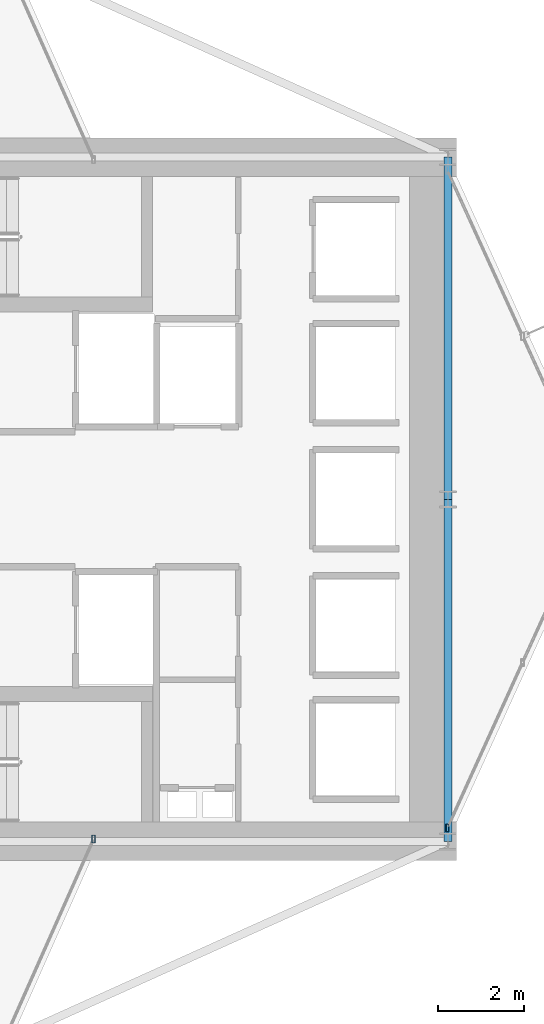
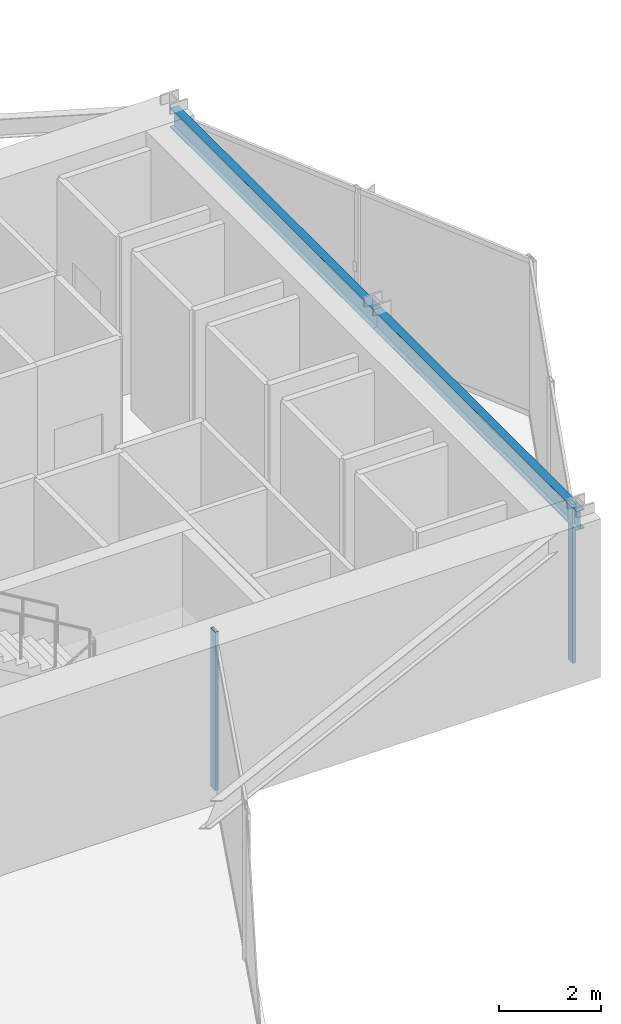
# One storey, part 12 of 24: 2 beams, 2 members, 2 elements without a shape of their own.
"""IFC4 building model written with IfcOpenShell, lengths in metres."""

import ifcopenshell
import ifcopenshell.guid

model = None  # the IFC model being written
_history = None  # IfcOwnerHistory: only IFC2X3 demands one
_inside = {}  # id of a spatial element -> (the spatial element, [elements in it])
_under = {}  # id of a project, library or spatial element -> (it, [spatial elements below it])
_declared = {}  # id of a project -> (the project, [libraries it declares])
_typed = {}  # id of a type object -> (the type object, [elements of that type])
_made_of = {}  # id of a material, layer set ... -> (it, [elements and type objects made of it])


def new_model(schema):
    """Start an empty IFC model of exactly this schema.

    Asked for "IFC4X3", IfcOpenShell would pick the latest addendum, in which some entities
    have other attributes; the version numbers below select the first issue.
    IFC2X3 requires an IfcOwnerHistory on every rooted entity: one is made here for all.
    """
    global model, _history
    if schema == "IFC4X3":
        model = ifcopenshell.file(schema_version=(4, 3, 0, 0))
    else:
        model = ifcopenshell.file(schema=schema)
    _inside.clear()
    _under.clear()
    _declared.clear()
    _typed.clear()
    _made_of.clear()
    _history = None
    if model.schema == "IFC2X3":
        org = make("IfcOrganization", Name="unknown")
        user = make(
            "IfcPersonAndOrganization",
            ThePerson=make("IfcPerson", FamilyName="unknown"),
            TheOrganization=org,
        )
        app = make(
            "IfcApplication",
            ApplicationDeveloper=org,
            Version="unknown",
            ApplicationFullName="unknown",
            ApplicationIdentifier="unknown",
        )
        _history = make(
            "IfcOwnerHistory",
            OwningUser=user,
            OwningApplication=app,
            ChangeAction="ADDED",
            CreationDate=0,
        )
    return model


def make(cls, **values):
    """One entity of the class cls with the attributes given. An attribute that is None is left unset."""
    return model.create_entity(
        cls, **{name: value for name, value in values.items() if value is not None}
    )


def rooted(cls, **values):
    """An entity with a GlobalId (a new one), such as an element, a storey or a relation."""
    return make(cls, GlobalId=ifcopenshell.guid.new(), OwnerHistory=_history, **values)


def si_unit(unit_type, name, prefix=None):
    """IfcSIUnit, for example si_unit("LENGTHUNIT", "METRE", prefix="MILLI")."""
    return make("IfcSIUnit", UnitType=unit_type, Prefix=prefix, Name=name)


def assignment(units):
    """IfcUnitAssignment: the units of a project."""
    return None if units is None else make("IfcUnitAssignment", Units=units)


def point(xyz):
    """IfcCartesianPoint."""
    return None if xyz is None else make("IfcCartesianPoint", Coordinates=xyz)


def direction(xyz):
    """IfcDirection."""
    return None if xyz is None else make("IfcDirection", DirectionRatios=xyz)


def frame(location, z_axis=None, x_axis=None):
    """IfcAxis2Placement3D, a coordinate frame: its origin and axes. An axis left out is left unset."""
    return make(
        "IfcAxis2Placement3D",
        Location=point(location),
        Axis=direction(z_axis),
        RefDirection=direction(x_axis),
    )


def frame_2d(location, x_axis=None):
    """IfcAxis2Placement2D, a coordinate frame in the plane: its origin and x axis."""
    return make(
        "IfcAxis2Placement2D", Location=point(location), RefDirection=direction(x_axis)
    )


def origin():
    """The frame at (0, 0, 0) with its axes left unset."""
    return frame((0.0, 0.0, 0.0))


def origin_2d():
    """The frame at (0, 0) in the plane with its x axis left unset."""
    return frame_2d((0.0, 0.0))


def place(relative_to, where):
    """IfcLocalPlacement: puts the frame where relative to a parent placement (None: the world)."""
    return make(
        "IfcLocalPlacement", PlacementRelTo=relative_to, RelativePlacement=where
    )


def context(
    kind, dimensions, precision=None, world=None, true_north=None, identifier=None
):
    """IfcGeometricRepresentationContext, for example the 3D "Model" context."""
    return make(
        "IfcGeometricRepresentationContext",
        ContextIdentifier=identifier,
        ContextType=kind,
        CoordinateSpaceDimension=dimensions,
        Precision=precision,
        WorldCoordinateSystem=world,
        TrueNorth=true_north,
    )


def subcontext(parent, identifier, kind, view, scale=None):
    """IfcGeometricRepresentationSubContext, for example "Body" below "Model"."""
    return make(
        "IfcGeometricRepresentationSubContext",
        ContextIdentifier=identifier,
        ContextType=kind,
        ParentContext=parent,
        TargetScale=scale,
        TargetView=view,
    )


def project(units=None, contexts=None):
    """IfcProject with its units and contexts."""
    return rooted(
        "IfcProject",
        Name="project",
        RepresentationContexts=contexts,
        UnitsInContext=assignment(units),
    )


def spatial(cls, under=None, at=None, **own):
    """A site, building, storey or space (cls), placed at a placement, below another one or the project."""
    s = rooted(cls, ObjectPlacement=at, **own)
    if under is not None:
        _under.setdefault(under.id(), (under, []))[1].append(s)
    return s


def profile(cls, at=None, kind="AREA", **sizes):
    """A parametric profile (cls). Its sizes go by their IFC names, for example OverallWidth=200.0."""
    return make(cls, ProfileType=kind, Position=at, **sizes)


def hollow_rectangle(**sizes):
    """IfcRectangleHollowProfileDef."""
    return profile("IfcRectangleHollowProfileDef", **sizes)


def i_section(**sizes):
    """IfcIShapeProfileDef."""
    return profile("IfcIShapeProfileDef", **sizes)


def extrude(swept, where, along, depth):
    """IfcExtrudedAreaSolid: the profile swept, set in the frame where, extruded along a direction by depth."""
    return make(
        "IfcExtrudedAreaSolid",
        SweptArea=swept,
        Position=where,
        ExtrudedDirection=direction(along),
        Depth=depth,
    )


def shape(context_of_items, identifier, shape_type, items):
    """IfcShapeRepresentation: the items that make up one representation, for example the "Body"."""
    return make(
        "IfcShapeRepresentation",
        ContextOfItems=context_of_items,
        RepresentationIdentifier=identifier,
        RepresentationType=shape_type,
        Items=items,
    )


def material(Name=None, Category=None):
    """IfcMaterial."""
    return make("IfcMaterial", Name=Name, Category=Category)


def layer(
    of_material, thickness, ventilated=None, Name=None, Category=None, Priority=None
):
    """IfcMaterialLayer: one layer of a wall or slab, of a material (None: an air gap)."""
    return make(
        "IfcMaterialLayer",
        Material=of_material,
        LayerThickness=thickness,
        IsVentilated=ventilated,
        Name=Name,
        Category=Category,
        Priority=Priority,
    )


def layer_set(layers, Name=None):
    """IfcMaterialLayerSet."""
    return make("IfcMaterialLayerSet", MaterialLayers=layers, LayerSetName=Name)


def material_profile(
    of_material, cross_section, Name=None, Category=None, Priority=None
):
    """IfcMaterialProfile: a cross section and its material."""
    return make(
        "IfcMaterialProfile",
        Name=Name,
        Material=of_material,
        Profile=cross_section,
        Priority=Priority,
        Category=Category,
    )


def profile_set(profiles, Name=None, composite=None):
    """IfcMaterialProfileSet."""
    return make(
        "IfcMaterialProfileSet",
        Name=Name,
        MaterialProfiles=profiles,
        CompositeProfile=composite,
    )


def made_of(thing, what):
    """Note that an element or type object is made of a material, layer set ...; save() writes the relation."""
    if what is not None:
        _made_of.setdefault(what.id(), (what, []))[1].append(thing)
    return thing


def type_object(cls, material=None, **own):
    """A type object (cls), such as IfcWallType, which elements share."""
    return made_of(rooted(cls, **own), material)


def element(
    cls,
    number,
    at=None,
    inside=None,
    cuts=None,
    type_object=None,
    material=None,
    context=None,
    identifier="Body",
    shape_type=None,
    held_by="IfcProductDefinitionShape",
    body=None,
    shapes=None,
    **own,
):
    """One element of the class cls, such as IfcWall. Its Tag is "e" and its number.

    at: its placement. inside: the storey or other place that contains it. cuts: it is an
    opening in that element (IfcRelVoidsElement). A single representation is given by context,
    identifier, shape_type and body (its items); several are given by shapes. held_by: the class
    of the entity that holds the representations. save() writes the other relations.
    """
    e = rooted(cls, Tag="e%d" % number, ObjectPlacement=at, **own)
    if body is not None:
        shapes = [shape(context, identifier, shape_type, body)]
    if shapes is not None:
        e.Representation = make(held_by, Representations=shapes)
    if inside is not None:
        _inside.setdefault(inside.id(), (inside, []))[1].append(e)
    if cuts is not None:
        rooted(
            "IfcRelVoidsElement", RelatingBuildingElement=cuts, RelatedOpeningElement=e
        )
    if type_object is not None:
        _typed.setdefault(type_object.id(), (type_object, []))[1].append(e)
    return made_of(e, material)


def aggregate(whole, parts):
    """IfcRelAggregates: a whole, such as a stair, and the parts it consists of."""
    return rooted("IfcRelAggregates", RelatingObject=whole, RelatedObjects=parts)


def save(model, path):
    """Write the relations noted so far, then the file.

    IfcRelAggregates (storeys below a building ...), IfcRelContainedInSpatialStructure (elements
    in a storey), IfcRelDefinesByType, IfcRelAssociatesMaterial and IfcRelDeclares: one each for
    every whole, place, type object, material and project.
    """
    for whole, parts in _under.values():
        aggregate(whole, parts)
    for where, things in _inside.values():
        rooted(
            "IfcRelContainedInSpatialStructure",
            RelatedElements=things,
            RelatingStructure=where,
        )
    for kind, things in _typed.values():
        rooted("IfcRelDefinesByType", RelatedObjects=things, RelatingType=kind)
    for what, things in _made_of.values():
        rooted("IfcRelAssociatesMaterial", RelatedObjects=things, RelatingMaterial=what)
    for by, libraries in _declared.values():
        rooted("IfcRelDeclares", RelatingContext=by, RelatedDefinitions=libraries)
    model.write(path)


model = new_model("IFC4")

# Units and contexts
model_context = context("Model", 3, precision=1e-05, world=origin(), true_north=direction((0.0, 1.0)))
body_context = subcontext(model_context, "Body", "Model", "MODEL_VIEW")
ifc_project = project(units=[si_unit("LENGTHUNIT", "METRE"), si_unit("AREAUNIT", "SQUARE_METRE"), si_unit("VOLUMEUNIT", "CUBIC_METRE"), si_unit("PLANEANGLEUNIT", "RADIAN"), si_unit("MASSUNIT", "GRAM", prefix="KILO")], contexts=[model_context])

# Site, building, storey
site_placement = place(None, origin())
site = spatial("IfcSite", under=ifc_project, at=site_placement, CompositionType="ELEMENT")
building_placement = place(site_placement, origin())
building = spatial("IfcBuilding", under=site, at=building_placement, Name="Veymaron Broadcast Tower", CompositionType="ELEMENT")
storey_placement = place(building_placement, frame((0.0, 0.0, 98.550048828125)))
storey = spatial("IfcBuildingStorey", under=building, at=storey_placement, Name="L22", CompositionType="ELEMENT", Elevation=98.550048828125)

# Beams
ifc_material_1 = material(Name="Structural steel ASTM A992 Gr 50", Category="steel")
ifc_material_profile_1 = material_profile(ifc_material_1, i_section(OverallWidth=0.19091796875, OverallDepth=0.4599609375, WebThickness=0.010009765625, FlangeThickness=0.01611328125, at=origin_2d()), Name="W460X82")
ifc_profile_set_1 = profile_set([ifc_material_profile_1], Name="Structural steel ASTM A992 Gr 50")
beam_type = type_object("IfcBeamType", Name="BM-SP1", PredefinedType="SPANDREL", material=ifc_profile_set_1)
for number, where, z_axis, x_axis, name in (
    (1, (54.60009765625, 16.0, 3.579833984375), (0.0, 1.0, 0.0), (-1.0, 0.0, 0.0), "L22 primary structural floor girder"),
    (2, (54.60009765625, 24.0, 3.579833984375), (0.0, 1.0, 0.0), (-1.0, 0.0, 0.0), "L22 primary structural floor girder"),
):
    element("IfcBeam", number, at=place(storey_placement, frame(where, z_axis=z_axis, x_axis=x_axis)), inside=storey, type_object=beam_type, Name=name, PredefinedType="SPANDREL", context=body_context, shape_type="SweptSolid", body=[
        extrude(i_section(OverallWidth=0.19091796875, OverallDepth=0.4599609375, WebThickness=0.010009765625, FlangeThickness=0.01611328125, at=origin_2d()), origin(), (0.0, 0.0, 1.0), 8.0),
    ])

# Curtain wall, member
ifc_material_2 = material(Name="Anodised aluminium AA 6063-T6 and laminated low-E dark glass", Category="aluminium")
ifc_layer = layer(ifc_material_2, 0.179931640625)
ifc_layer_set = layer_set([ifc_layer], Name="Anodised aluminium AA 6063-T6 and laminated low-E dark glass")
curtain_wall_type = type_object("IfcCurtainWallType", Name="CW-SYS-02", PredefinedType="NOTDEFINED", material=ifc_layer_set)
curtain_wall_1_placement = place(storey_placement, origin())
curtain_wall_1 = element("IfcCurtainWall", 3, at=curtain_wall_1_placement, inside=storey, type_object=curtain_wall_type, Name="L22 dark-glass curtain wall CW-L22-E2-1", PredefinedType="NOTDEFINED")
ifc_material_3 = material(Name="Anodised aluminium AA 6063-T6", Category="aluminium")
ifc_material_profile_2 = material_profile(ifc_material_3, hollow_rectangle(XDim=0.074951171875, YDim=0.179931640625, WallThickness=0.0048828125, at=origin_2d()), Name="AL180X75X5")
ifc_profile_set_2 = profile_set([ifc_material_profile_2], Name="Anodised aluminium AA 6063-T6")
member_type = type_object("IfcMemberType", Name="CW-MUL-02", PredefinedType="MULLION", material=ifc_profile_set_2)
member_1_placement = place(storey_placement, frame((54.58935546875, 16.315185546875, 0.0), z_axis=(0.0, 0.0, 1.0), x_axis=(1.0, 0.0, 0.0)))
member_1 = element("IfcMember", 4, at=member_1_placement, type_object=member_type, Name="CW-L22-E2-1 mullion 0", PredefinedType="MULLION", context=body_context, shape_type="SweptSolid", body=[
    extrude(hollow_rectangle(XDim=0.074951171875, YDim=0.179931640625, WallThickness=0.0048828125, at=origin_2d()), origin(), (0.0, 0.0, 1.0), 3.81005859375),
])
aggregate(curtain_wall_1, [member_1])

curtain_wall_2_placement = place(storey_placement, origin())
curtain_wall_2 = element("IfcCurtainWall", 5, at=curtain_wall_2_placement, inside=storey, type_object=curtain_wall_type, Name="L22 dark-glass curtain wall CW-L22-E20-1", PredefinedType="NOTDEFINED")
member_2_placement = place(storey_placement, frame((46.31689453125, 16.056884765625, 0.0), z_axis=(0.0, 0.0, 1.0), x_axis=(1.0, 0.0, 0.0)))
member_2 = element("IfcMember", 6, at=member_2_placement, type_object=member_type, Name="CW-L22-E20-1 mullion 2", PredefinedType="MULLION", context=body_context, shape_type="SweptSolid", body=[
    extrude(hollow_rectangle(XDim=0.074951171875, YDim=0.179931640625, WallThickness=0.0048828125, at=origin_2d()), origin(), (0.0, 0.0, 1.0), 3.81005859375),
])
aggregate(curtain_wall_2, [member_2])

save(model, "model.ifc")
